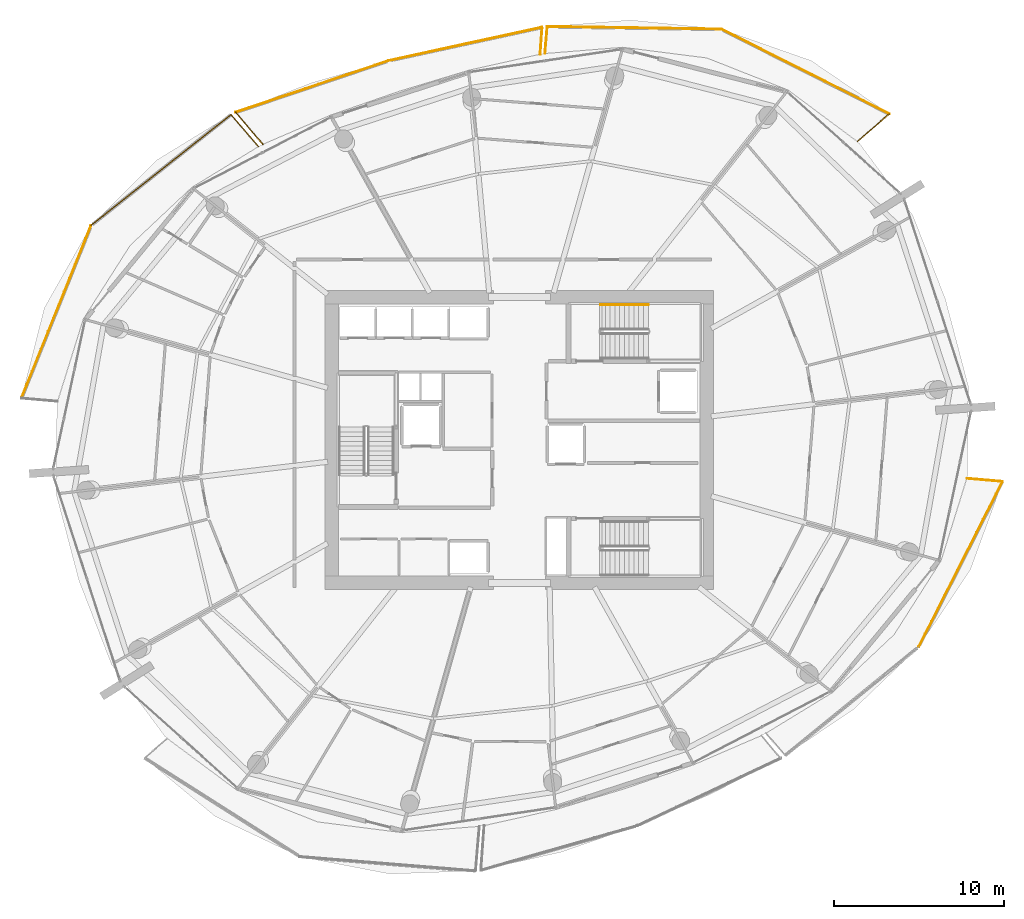
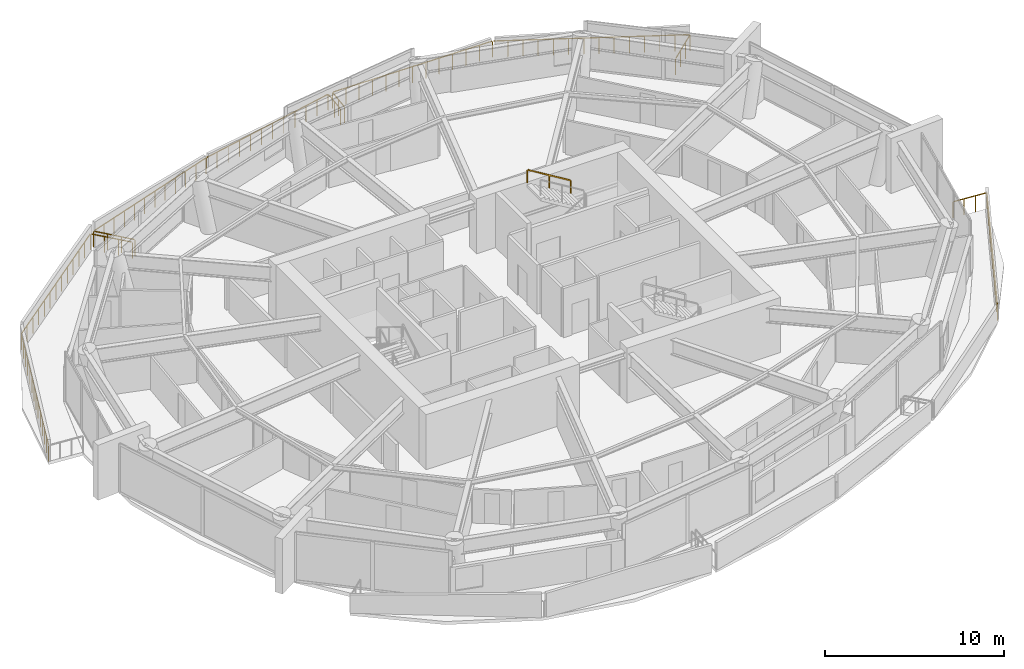
# One storey, part 19 of 19: 14 railings.
"""IFC4 building model written with IfcOpenShell, lengths in metres."""

from ifc_helpers import new_model, si_unit, direction, frame, origin, origin_2d, place, context, subcontext, project, spatial, rectangle, extrude, material, type_object, element, save


model = new_model("IFC4")

# Units and contexts
model_context = context("Model", 3, precision=1e-05, world=origin(), true_north=direction((0.0, 1.0)))
body_context = subcontext(model_context, "Body", "Model", "MODEL_VIEW")
ifc_project = project(units=[si_unit("LENGTHUNIT", "METRE"), si_unit("AREAUNIT", "SQUARE_METRE"), si_unit("VOLUMEUNIT", "CUBIC_METRE"), si_unit("PLANEANGLEUNIT", "RADIAN"), si_unit("MASSUNIT", "GRAM", prefix="KILO")], contexts=[model_context])

# Site, building, storey
site_placement = place(None, origin())
site = spatial("IfcSite", under=ifc_project, at=site_placement, CompositionType="ELEMENT")
building_placement = place(site_placement, origin())
building = spatial("IfcBuilding", under=site, at=building_placement, Name="Kazma Halo Residences", CompositionType="ELEMENT")
storey_placement = place(building_placement, frame((0.0, 0.0, 172.800048828125)))
storey = spatial("IfcBuildingStorey", under=building, at=storey_placement, Name="L43", CompositionType="ELEMENT", Elevation=172.800048828125)

# Railings
ifc_material_1 = material(Name="Aluminium AW-6063 T6 Brushed Cap Rail", Category="aluminium")
railing_type_1 = type_object("IfcRailingType", Name="RLG-BAL-CAP-1120", PredefinedType="BALUSTRADE", material=ifc_material_1)
railing_1_placement = place(storey_placement, frame((68.294677734375, 59.548583984375, 0.0)))
element("IfcRailing", 1, at=railing_1_placement, inside=storey, type_object=railing_type_1, Name="L43 NE wave balcony guard 1", PredefinedType="BALUSTRADE", context=body_context, shape_type="SweptSolid", body=[
    extrude(rectangle(XDim=0.050048828125, YDim=0.050048828125, at=origin_2d()), frame((0.0322265625, 0.02783203125, 1.09521484375), z_axis=(0.756413211958, 0.65409407028, 0.0), x_axis=(-0.65409407028, 0.756413211958, 0.0)), (0.0, 0.0, 1.0), 2.39404296875),
    extrude(rectangle(XDim=0.0400390625, YDim=0.0400390625, at=origin_2d()), origin(), (0.0, 0.0, 1.0), 1.05810546875),
    extrude(rectangle(XDim=0.0400390625, YDim=0.0400390625, at=origin_2d()), frame((0.625, 0.54052734375, 0.0)), (0.0, 0.0, 1.0), 1.05810546875),
    extrude(rectangle(XDim=0.0400390625, YDim=0.0400390625, at=origin_2d()), frame((1.250244140625, 1.0810546875, 0.0)), (0.0, 0.0, 1.0), 1.05810546875),
    extrude(rectangle(XDim=0.0400390625, YDim=0.0400390625, at=origin_2d()), frame((1.875244140625, 1.62158203125, 0.0)), (0.0, 0.0, 1.0), 1.05810546875),
])
railing_2_placement = place(storey_placement, frame((70.169921875, 61.170166015625, 0.0)))
element("IfcRailing", 2, at=railing_2_placement, inside=storey, type_object=railing_type_1, Name="L43 NE wave balcony guard 2", PredefinedType="BALUSTRADE", context=body_context, shape_type="SweptSolid", body=[
    extrude(rectangle(XDim=0.050048828125, YDim=0.050048828125, at=origin_2d()), frame((-0.0380859375, 0.019287109375, 1.09521484375), z_axis=(-0.892732917122, 0.450586216707, 0.0), x_axis=(-0.450586216707, -0.892732917122, 0.0)), (0.0, 0.0, 1.0), 10.965576171875),
    extrude(rectangle(XDim=0.0400390625, YDim=0.0400390625, at=origin_2d()), origin(), (0.0, 0.0, 1.0), 1.05810546875),
    extrude(rectangle(XDim=0.0400390625, YDim=0.0400390625, at=origin_2d()), frame((-0.7587890625, 0.383056640625, 0.0)), (0.0, 0.0, 1.0), 1.05810546875),
    extrude(rectangle(XDim=0.0400390625, YDim=0.0400390625, at=origin_2d()), frame((-1.517822265625, 0.76611328125, 0.0)), (0.0, 0.0, 1.0), 1.05810546875),
    extrude(rectangle(XDim=0.0400390625, YDim=0.0400390625, at=origin_2d()), frame((-2.276611328125, 1.149169921875, 0.0)), (0.0, 0.0, 1.0), 1.05810546875),
    extrude(rectangle(XDim=0.0400390625, YDim=0.0400390625, at=origin_2d()), frame((-3.035400390625, 1.531982421875, 0.0)), (0.0, 0.0, 1.0), 1.05810546875),
    extrude(rectangle(XDim=0.0400390625, YDim=0.0400390625, at=origin_2d()), frame((-3.79443359375, 1.9150390625, 0.0)), (0.0, 0.0, 1.0), 1.05810546875),
    extrude(rectangle(XDim=0.0400390625, YDim=0.0400390625, at=origin_2d()), frame((-4.55322265625, 2.298095703125, 0.0)), (0.0, 0.0, 1.0), 1.05810546875),
    extrude(rectangle(XDim=0.0400390625, YDim=0.0400390625, at=origin_2d()), frame((-5.31201171875, 2.68115234375, 0.0)), (0.0, 0.0, 1.0), 1.05810546875),
    extrude(rectangle(XDim=0.0400390625, YDim=0.0400390625, at=origin_2d()), frame((-6.07080078125, 3.064208984375, 0.0)), (0.0, 0.0, 1.0), 1.05810546875),
    extrude(rectangle(XDim=0.0400390625, YDim=0.0400390625, at=origin_2d()), frame((-6.829833984375, 3.447265625, 0.0)), (0.0, 0.0, 1.0), 1.05810546875),
    extrude(rectangle(XDim=0.0400390625, YDim=0.0400390625, at=origin_2d()), frame((-7.588623046875, 3.830078125, 0.0)), (0.0, 0.0, 1.0), 1.05810546875),
    extrude(rectangle(XDim=0.0400390625, YDim=0.0400390625, at=origin_2d()), frame((-8.347412109375, 4.213134765625, 0.0)), (0.0, 0.0, 1.0), 1.05810546875),
    extrude(rectangle(XDim=0.0400390625, YDim=0.0400390625, at=origin_2d()), frame((-9.1064453125, 4.59619140625, 0.0)), (0.0, 0.0, 1.0), 1.05810546875),
    extrude(rectangle(XDim=0.0400390625, YDim=0.0400390625, at=origin_2d()), frame((-9.865234375, 4.979248046875, 0.0)), (0.0, 0.0, 1.0), 1.05810546875),
])
railing_3_placement = place(storey_placement, frame((60.3046875, 66.1494140625, 0.0)))
element("IfcRailing", 3, at=railing_3_placement, inside=storey, type_object=railing_type_1, Name="L43 NE wave balcony guard 3", PredefinedType="BALUSTRADE", context=body_context, shape_type="SweptSolid", body=[
    extrude(rectangle(XDim=0.050048828125, YDim=0.050048828125, at=origin_2d()), frame((-0.04248046875, 0.000732421875, 1.09521484375), z_axis=(-0.999886550077, 0.015062767851, 0.0), x_axis=(-0.015062767851, -0.999886550077, 0.0)), (0.0, 0.0, 1.0), 10.158447265625),
    extrude(rectangle(XDim=0.0400390625, YDim=0.0400390625, at=origin_2d()), origin(), (0.0, 0.0, 1.0), 1.05810546875),
    extrude(rectangle(XDim=0.0400390625, YDim=0.0400390625, at=origin_2d()), frame((-0.853515625, 0.012939453125, 0.0)), (0.0, 0.0, 1.0), 1.05810546875),
    extrude(rectangle(XDim=0.0400390625, YDim=0.0400390625, at=origin_2d()), frame((-1.70703125, 0.025634765625, 0.0)), (0.0, 0.0, 1.0), 1.05810546875),
    extrude(rectangle(XDim=0.0400390625, YDim=0.0400390625, at=origin_2d()), frame((-2.560546875, 0.03857421875, 0.0)), (0.0, 0.0, 1.0), 1.05810546875),
    extrude(rectangle(XDim=0.0400390625, YDim=0.0400390625, at=origin_2d()), frame((-3.4140625, 0.051513671875, 0.0)), (0.0, 0.0, 1.0), 1.05810546875),
    extrude(rectangle(XDim=0.0400390625, YDim=0.0400390625, at=origin_2d()), frame((-4.267578125, 0.064208984375, 0.0)), (0.0, 0.0, 1.0), 1.05810546875),
    extrude(rectangle(XDim=0.0400390625, YDim=0.0400390625, at=origin_2d()), frame((-5.12109375, 0.0771484375, 0.0)), (0.0, 0.0, 1.0), 1.05810546875),
    extrude(rectangle(XDim=0.0400390625, YDim=0.0400390625, at=origin_2d()), frame((-5.974853515625, 0.090087890625, 0.0)), (0.0, 0.0, 1.0), 1.05810546875),
    extrude(rectangle(XDim=0.0400390625, YDim=0.0400390625, at=origin_2d()), frame((-6.828369140625, 0.102783203125, 0.0)), (0.0, 0.0, 1.0), 1.05810546875),
    extrude(rectangle(XDim=0.0400390625, YDim=0.0400390625, at=origin_2d()), frame((-7.681884765625, 0.11572265625, 0.0)), (0.0, 0.0, 1.0), 1.05810546875),
    extrude(rectangle(XDim=0.0400390625, YDim=0.0400390625, at=origin_2d()), frame((-8.535400390625, 0.128662109375, 0.0)), (0.0, 0.0, 1.0), 1.05810546875),
    extrude(rectangle(XDim=0.0400390625, YDim=0.0400390625, at=origin_2d()), frame((-9.388916015625, 0.141357421875, 0.0)), (0.0, 0.0, 1.0), 1.05810546875),
    extrude(rectangle(XDim=0.0400390625, YDim=0.0400390625, at=origin_2d()), frame((-10.242431640625, 0.154296875, 0.0)), (0.0, 0.0, 1.0), 1.05810546875),
])
railing_4_placement = place(storey_placement, frame((50.062255859375, 66.3037109375, 0.0)))
element("IfcRailing", 4, at=railing_4_placement, inside=storey, type_object=railing_type_1, Name="L43 NE wave balcony guard 4", PredefinedType="BALUSTRADE", context=body_context, shape_type="SweptSolid", body=[
    extrude(rectangle(XDim=0.050048828125, YDim=0.050048828125, at=origin_2d()), frame((-0.003662109375, -0.04248046875, 1.09521484375), z_axis=(-0.084507718361, -0.996422824677, 0.0), x_axis=(0.996422824677, -0.084507718361, 0.0)), (0.0, 0.0, 1.0), 1.50390625),
    extrude(rectangle(XDim=0.0400390625, YDim=0.0400390625, at=origin_2d()), origin(), (0.0, 0.0, 1.0), 1.05810546875),
    extrude(rectangle(XDim=0.0400390625, YDim=0.0400390625, at=origin_2d()), frame((-0.067138671875, -0.79150390625, 0.0)), (0.0, 0.0, 1.0), 1.05810546875),
    extrude(rectangle(XDim=0.0400390625, YDim=0.0400390625, at=origin_2d()), frame((-0.13427734375, -1.583251953125, 0.0)), (0.0, 0.0, 1.0), 1.05810546875),
])
railing_5_placement = place(storey_placement, frame((49.6455078125, 64.67822265625, 0.0)))
element("IfcRailing", 5, at=railing_5_placement, inside=storey, type_object=railing_type_1, Name="L43 NNW wave balcony guard 1", PredefinedType="BALUSTRADE", context=body_context, shape_type="SweptSolid", body=[
    extrude(rectangle(XDim=0.050048828125, YDim=0.050048828125, at=origin_2d()), frame((0.003173828125, 0.04248046875, 1.09521484375), z_axis=(0.072418651554, 0.997374322362, 0.0), x_axis=(-0.997374322362, 0.072418651554, 0.0)), (0.0, 0.0, 1.0), 1.49951171875),
    extrude(rectangle(XDim=0.0400390625, YDim=0.0400390625, at=origin_2d()), origin(), (0.0, 0.0, 1.0), 1.05810546875),
    extrude(rectangle(XDim=0.0400390625, YDim=0.0400390625, at=origin_2d()), frame((0.057373046875, 0.7900390625, 0.0)), (0.0, 0.0, 1.0), 1.05810546875),
    extrude(rectangle(XDim=0.0400390625, YDim=0.0400390625, at=origin_2d()), frame((0.11474609375, 1.580322265625, 0.0)), (0.0, 0.0, 1.0), 1.05810546875),
])
railing_6_placement = place(storey_placement, frame((49.76025390625, 66.258544921875, 0.0)))
element("IfcRailing", 6, at=railing_6_placement, inside=storey, type_object=railing_type_1, Name="L43 NNW wave balcony guard 2", PredefinedType="BALUSTRADE", context=body_context, shape_type="SweptSolid", body=[
    extrude(rectangle(XDim=0.050048828125, YDim=0.050048828125, at=origin_2d()), frame((-0.04150390625, -0.009033203125, 1.09521484375), z_axis=(-0.977179471734, -0.212415347895, 0.0), x_axis=(0.212415347895, -0.977179471734, 0.0)), (0.0, 0.0, 1.0), 9.131591796875),
    extrude(rectangle(XDim=0.0400390625, YDim=0.0400390625, at=origin_2d()), origin(), (0.0, 0.0, 1.0), 1.05810546875),
    extrude(rectangle(XDim=0.0400390625, YDim=0.0400390625, at=origin_2d()), frame((-0.81884765625, -0.177978515625, 0.0)), (0.0, 0.0, 1.0), 1.05810546875),
    extrude(rectangle(XDim=0.0400390625, YDim=0.0400390625, at=origin_2d()), frame((-1.637451171875, -0.35595703125, 0.0)), (0.0, 0.0, 1.0), 1.05810546875),
    extrude(rectangle(XDim=0.0400390625, YDim=0.0400390625, at=origin_2d()), frame((-2.456298828125, -0.533935546875, 0.0)), (0.0, 0.0, 1.0), 1.05810546875),
    extrude(rectangle(XDim=0.0400390625, YDim=0.0400390625, at=origin_2d()), frame((-3.275146484375, -0.7119140625, 0.0)), (0.0, 0.0, 1.0), 1.05810546875),
    extrude(rectangle(XDim=0.0400390625, YDim=0.0400390625, at=origin_2d()), frame((-4.09375, -0.889892578125, 0.0)), (0.0, 0.0, 1.0), 1.05810546875),
    extrude(rectangle(XDim=0.0400390625, YDim=0.0400390625, at=origin_2d()), frame((-4.91259765625, -1.06787109375, 0.0)), (0.0, 0.0, 1.0), 1.05810546875),
    extrude(rectangle(XDim=0.0400390625, YDim=0.0400390625, at=origin_2d()), frame((-5.731201171875, -1.245849609375, 0.0)), (0.0, 0.0, 1.0), 1.05810546875),
    extrude(rectangle(XDim=0.0400390625, YDim=0.0400390625, at=origin_2d()), frame((-6.550048828125, -1.423828125, 0.0)), (0.0, 0.0, 1.0), 1.05810546875),
    extrude(rectangle(XDim=0.0400390625, YDim=0.0400390625, at=origin_2d()), frame((-7.368896484375, -1.601806640625, 0.0)), (0.0, 0.0, 1.0), 1.05810546875),
    extrude(rectangle(XDim=0.0400390625, YDim=0.0400390625, at=origin_2d()), frame((-8.1875, -1.77978515625, 0.0)), (0.0, 0.0, 1.0), 1.05810546875),
    extrude(rectangle(XDim=0.0400390625, YDim=0.0400390625, at=origin_2d()), frame((-9.00634765625, -1.957763671875, 0.0)), (0.0, 0.0, 1.0), 1.05810546875),
])
railing_7_placement = place(storey_placement, frame((40.75390625, 64.30078125, 0.0)))
element("IfcRailing", 7, at=railing_7_placement, inside=storey, type_object=railing_type_1, Name="L43 NNW wave balcony guard 3", PredefinedType="BALUSTRADE", context=body_context, shape_type="SweptSolid", body=[
    extrude(rectangle(XDim=0.050048828125, YDim=0.050048828125, at=origin_2d()), frame((-0.040283203125, -0.013671875, 1.09521484375), z_axis=(-0.947577968419, -0.319524637183, 0.0), x_axis=(0.319524637183, -0.947577968419, 0.0)), (0.0, 0.0, 1.0), 9.417724609375),
    extrude(rectangle(XDim=0.0400390625, YDim=0.0400390625, at=origin_2d()), origin(), (0.0, 0.0, 1.0), 1.05810546875),
    extrude(rectangle(XDim=0.0400390625, YDim=0.0400390625, at=origin_2d()), frame((-0.818603515625, -0.276123046875, 0.0)), (0.0, 0.0, 1.0), 1.05810546875),
    extrude(rectangle(XDim=0.0400390625, YDim=0.0400390625, at=origin_2d()), frame((-1.63720703125, -0.552001953125, 0.0)), (0.0, 0.0, 1.0), 1.05810546875),
    extrude(rectangle(XDim=0.0400390625, YDim=0.0400390625, at=origin_2d()), frame((-2.455810546875, -0.828125, 0.0)), (0.0, 0.0, 1.0), 1.05810546875),
    extrude(rectangle(XDim=0.0400390625, YDim=0.0400390625, at=origin_2d()), frame((-3.2744140625, -1.104248046875, 0.0)), (0.0, 0.0, 1.0), 1.05810546875),
    extrude(rectangle(XDim=0.0400390625, YDim=0.0400390625, at=origin_2d()), frame((-4.093017578125, -1.380126953125, 0.0)), (0.0, 0.0, 1.0), 1.05810546875),
    extrude(rectangle(XDim=0.0400390625, YDim=0.0400390625, at=origin_2d()), frame((-4.91162109375, -1.65625, 0.0)), (0.0, 0.0, 1.0), 1.05810546875),
    extrude(rectangle(XDim=0.0400390625, YDim=0.0400390625, at=origin_2d()), frame((-5.730224609375, -1.93212890625, 0.0)), (0.0, 0.0, 1.0), 1.05810546875),
    extrude(rectangle(XDim=0.0400390625, YDim=0.0400390625, at=origin_2d()), frame((-6.548828125, -2.208251953125, 0.0)), (0.0, 0.0, 1.0), 1.05810546875),
    extrude(rectangle(XDim=0.0400390625, YDim=0.0400390625, at=origin_2d()), frame((-7.367431640625, -2.484375, 0.0)), (0.0, 0.0, 1.0), 1.05810546875),
    extrude(rectangle(XDim=0.0400390625, YDim=0.0400390625, at=origin_2d()), frame((-8.18603515625, -2.76025390625, 0.0)), (0.0, 0.0, 1.0), 1.05810546875),
    extrude(rectangle(XDim=0.0400390625, YDim=0.0400390625, at=origin_2d()), frame((-9.004638671875, -3.036376953125, 0.0)), (0.0, 0.0, 1.0), 1.05810546875),
])
railing_8_placement = place(storey_placement, frame((31.749267578125, 61.264404296875, 0.0)))
element("IfcRailing", 8, at=railing_8_placement, inside=storey, type_object=railing_type_1, Name="L43 NNW wave balcony guard 4", PredefinedType="BALUSTRADE", context=body_context, shape_type="SweptSolid", body=[
    extrude(rectangle(XDim=0.050048828125, YDim=0.050048828125, at=origin_2d()), frame((0.02734375, -0.032470703125, 1.09521484375), z_axis=(0.644760664692, -0.764384514015, 0.0), x_axis=(0.764384514015, 0.644760664692, 0.0)), (0.0, 0.0, 1.0), 2.38037109375),
    extrude(rectangle(XDim=0.0400390625, YDim=0.0400390625, at=origin_2d()), origin(), (0.0, 0.0, 1.0), 1.05810546875),
    extrude(rectangle(XDim=0.0400390625, YDim=0.0400390625, at=origin_2d()), frame((0.52978515625, -0.628173828125, 0.0)), (0.0, 0.0, 1.0), 1.05810546875),
    extrude(rectangle(XDim=0.0400390625, YDim=0.0400390625, at=origin_2d()), frame((1.059814453125, -1.25634765625, 0.0)), (0.0, 0.0, 1.0), 1.05810546875),
    extrude(rectangle(XDim=0.0400390625, YDim=0.0400390625, at=origin_2d()), frame((1.589599609375, -1.884521484375, 0.0)), (0.0, 0.0, 1.0), 1.05810546875),
])
railing_9_placement = place(storey_placement, frame((33.08544921875, 59.248046875, 0.0)))
element("IfcRailing", 9, at=railing_9_placement, inside=storey, type_object=railing_type_1, Name="L43 NW wave balcony guard 1", PredefinedType="BALUSTRADE", context=body_context, shape_type="SweptSolid", body=[
    extrude(rectangle(XDim=0.050048828125, YDim=0.050048828125, at=origin_2d()), frame((-0.02783203125, 0.0322265625, 1.09521484375), z_axis=(-0.65402422684, 0.756473602121, 0.0), x_axis=(-0.756473602121, -0.65402422684, 0.0)), (0.0, 0.0, 1.0), 2.39794921875),
    extrude(rectangle(XDim=0.0400390625, YDim=0.0400390625, at=origin_2d()), origin(), (0.0, 0.0, 1.0), 1.05810546875),
    extrude(rectangle(XDim=0.0400390625, YDim=0.0400390625, at=origin_2d()), frame((-0.541259765625, 0.626220703125, 0.0)), (0.0, 0.0, 1.0), 1.05810546875),
    extrude(rectangle(XDim=0.0400390625, YDim=0.0400390625, at=origin_2d()), frame((-1.082763671875, 1.252197265625, 0.0)), (0.0, 0.0, 1.0), 1.05810546875),
    extrude(rectangle(XDim=0.0400390625, YDim=0.0400390625, at=origin_2d()), frame((-1.6240234375, 1.87841796875, 0.0)), (0.0, 0.0, 1.0), 1.05810546875),
])
railing_10_placement = place(storey_placement, frame((31.46142578125, 61.12646484375, 0.0)))
element("IfcRailing", 10, at=railing_10_placement, inside=storey, type_object=railing_type_1, Name="L43 NW wave balcony guard 2", PredefinedType="BALUSTRADE", context=body_context, shape_type="SweptSolid", body=[
    extrude(rectangle(XDim=0.050048828125, YDim=0.050048828125, at=origin_2d()), frame((-0.033447265625, -0.0263671875, 1.09521484375), z_axis=(-0.783646207233, -0.621207390401, 0.0), x_axis=(0.621207390401, -0.783646207233, 0.0)), (0.0, 0.0, 1.0), 10.399658203125),
    extrude(rectangle(XDim=0.0400390625, YDim=0.0400390625, at=origin_2d()), origin(), (0.0, 0.0, 1.0), 1.05810546875),
    extrude(rectangle(XDim=0.0400390625, YDim=0.0400390625, at=origin_2d()), frame((-0.6845703125, -0.542724609375, 0.0)), (0.0, 0.0, 1.0), 1.05810546875),
    extrude(rectangle(XDim=0.0400390625, YDim=0.0400390625, at=origin_2d()), frame((-1.369384765625, -1.08544921875, 0.0)), (0.0, 0.0, 1.0), 1.05810546875),
    extrude(rectangle(XDim=0.0400390625, YDim=0.0400390625, at=origin_2d()), frame((-2.05419921875, -1.62841796875, 0.0)), (0.0, 0.0, 1.0), 1.05810546875),
    extrude(rectangle(XDim=0.0400390625, YDim=0.0400390625, at=origin_2d()), frame((-2.73876953125, -2.171142578125, 0.0)), (0.0, 0.0, 1.0), 1.05810546875),
    extrude(rectangle(XDim=0.0400390625, YDim=0.0400390625, at=origin_2d()), frame((-3.42333984375, -2.7138671875, 0.0)), (0.0, 0.0, 1.0), 1.05810546875),
    extrude(rectangle(XDim=0.0400390625, YDim=0.0400390625, at=origin_2d()), frame((-4.108154296875, -3.256591796875, 0.0)), (0.0, 0.0, 1.0), 1.05810546875),
    extrude(rectangle(XDim=0.0400390625, YDim=0.0400390625, at=origin_2d()), frame((-4.79296875, -3.79931640625, 0.0)), (0.0, 0.0, 1.0), 1.05810546875),
    extrude(rectangle(XDim=0.0400390625, YDim=0.0400390625, at=origin_2d()), frame((-5.4775390625, -4.342041015625, 0.0)), (0.0, 0.0, 1.0), 1.05810546875),
    extrude(rectangle(XDim=0.0400390625, YDim=0.0400390625, at=origin_2d()), frame((-6.162109375, -4.884765625, 0.0)), (0.0, 0.0, 1.0), 1.05810546875),
    extrude(rectangle(XDim=0.0400390625, YDim=0.0400390625, at=origin_2d()), frame((-6.846923828125, -5.427734375, 0.0)), (0.0, 0.0, 1.0), 1.05810546875),
    extrude(rectangle(XDim=0.0400390625, YDim=0.0400390625, at=origin_2d()), frame((-7.53173828125, -5.970458984375, 0.0)), (0.0, 0.0, 1.0), 1.05810546875),
    extrude(rectangle(XDim=0.0400390625, YDim=0.0400390625, at=origin_2d()), frame((-8.21630859375, -6.51318359375, 0.0)), (0.0, 0.0, 1.0), 1.05810546875),
])
railing_11_placement = place(storey_placement, frame((23.2451171875, 54.61328125, 0.0)))
element("IfcRailing", 11, at=railing_11_placement, inside=storey, type_object=railing_type_1, Name="L43 NW wave balcony guard 3", PredefinedType="BALUSTRADE", context=body_context, shape_type="SweptSolid", body=[
    extrude(rectangle(XDim=0.050048828125, YDim=0.050048828125, at=origin_2d()), frame((-0.015869140625, -0.03955078125, 1.09521484375), z_axis=(-0.373954738113, -0.927446954733, 0.0), x_axis=(0.927446954733, -0.373954738113, 0.0)), (0.0, 0.0, 1.0), 10.875244140625),
    extrude(rectangle(XDim=0.0400390625, YDim=0.0400390625, at=origin_2d()), origin(), (0.0, 0.0, 1.0), 1.05810546875),
    extrude(rectangle(XDim=0.0400390625, YDim=0.0400390625, at=origin_2d()), frame((-0.315185546875, -0.781982421875, 0.0)), (0.0, 0.0, 1.0), 1.05810546875),
    extrude(rectangle(XDim=0.0400390625, YDim=0.0400390625, at=origin_2d()), frame((-0.630615234375, -1.56396484375, 0.0)), (0.0, 0.0, 1.0), 1.05810546875),
    extrude(rectangle(XDim=0.0400390625, YDim=0.0400390625, at=origin_2d()), frame((-0.94580078125, -2.345703125, 0.0)), (0.0, 0.0, 1.0), 1.05810546875),
    extrude(rectangle(XDim=0.0400390625, YDim=0.0400390625, at=origin_2d()), frame((-1.26123046875, -3.127685546875, 0.0)), (0.0, 0.0, 1.0), 1.05810546875),
    extrude(rectangle(XDim=0.0400390625, YDim=0.0400390625, at=origin_2d()), frame((-1.576416015625, -3.90966796875, 0.0)), (0.0, 0.0, 1.0), 1.05810546875),
    extrude(rectangle(XDim=0.0400390625, YDim=0.0400390625, at=origin_2d()), frame((-1.8916015625, -4.691650390625, 0.0)), (0.0, 0.0, 1.0), 1.05810546875),
    extrude(rectangle(XDim=0.0400390625, YDim=0.0400390625, at=origin_2d()), frame((-2.20703125, -5.473388671875, 0.0)), (0.0, 0.0, 1.0), 1.05810546875),
    extrude(rectangle(XDim=0.0400390625, YDim=0.0400390625, at=origin_2d()), frame((-2.522216796875, -6.25537109375, 0.0)), (0.0, 0.0, 1.0), 1.05810546875),
    extrude(rectangle(XDim=0.0400390625, YDim=0.0400390625, at=origin_2d()), frame((-2.83740234375, -7.037353515625, 0.0)), (0.0, 0.0, 1.0), 1.05810546875),
    extrude(rectangle(XDim=0.0400390625, YDim=0.0400390625, at=origin_2d()), frame((-3.15283203125, -7.8193359375, 0.0)), (0.0, 0.0, 1.0), 1.05810546875),
    extrude(rectangle(XDim=0.0400390625, YDim=0.0400390625, at=origin_2d()), frame((-3.468017578125, -8.60107421875, 0.0)), (0.0, 0.0, 1.0), 1.05810546875),
    extrude(rectangle(XDim=0.0400390625, YDim=0.0400390625, at=origin_2d()), frame((-3.783447265625, -9.383056640625, 0.0)), (0.0, 0.0, 1.0), 1.05810546875),
    extrude(rectangle(XDim=0.0400390625, YDim=0.0400390625, at=origin_2d()), frame((-4.0986328125, -10.1650390625, 0.0)), (0.0, 0.0, 1.0), 1.05810546875),
])
railing_12_placement = place(storey_placement, frame((71.898681640625, 29.822998046875, 0.0)))
element("IfcRailing", 12, at=railing_12_placement, inside=storey, type_object=railing_type_1, Name="L43 SE wave balcony guard 3", PredefinedType="BALUSTRADE", context=body_context, shape_type="SweptSolid", body=[
    extrude(rectangle(XDim=0.050048828125, YDim=0.050048828125, at=origin_2d()), frame((0.019287109375, 0.037841796875, 1.09521484375), z_axis=(0.452406315064, 0.891811934261, 0.0), x_axis=(-0.891811934261, 0.452406315064, 0.0)), (0.0, 0.0, 1.0), 10.825439453125),
    extrude(rectangle(XDim=0.0400390625, YDim=0.0400390625, at=origin_2d()), origin(), (0.0, 0.0, 1.0), 1.05810546875),
    extrude(rectangle(XDim=0.0400390625, YDim=0.0400390625, at=origin_2d()), frame((0.379638671875, 0.74853515625, 0.0)), (0.0, 0.0, 1.0), 1.05810546875),
    extrude(rectangle(XDim=0.0400390625, YDim=0.0400390625, at=origin_2d()), frame((0.75927734375, 1.4970703125, 0.0)), (0.0, 0.0, 1.0), 1.05810546875),
    extrude(rectangle(XDim=0.0400390625, YDim=0.0400390625, at=origin_2d()), frame((1.13916015625, 2.245361328125, 0.0)), (0.0, 0.0, 1.0), 1.05810546875),
    extrude(rectangle(XDim=0.0400390625, YDim=0.0400390625, at=origin_2d()), frame((1.518798828125, 2.993896484375, 0.0)), (0.0, 0.0, 1.0), 1.05810546875),
    extrude(rectangle(XDim=0.0400390625, YDim=0.0400390625, at=origin_2d()), frame((1.8984375, 3.742431640625, 0.0)), (0.0, 0.0, 1.0), 1.05810546875),
    extrude(rectangle(XDim=0.0400390625, YDim=0.0400390625, at=origin_2d()), frame((2.278076171875, 4.490966796875, 0.0)), (0.0, 0.0, 1.0), 1.05810546875),
    extrude(rectangle(XDim=0.0400390625, YDim=0.0400390625, at=origin_2d()), frame((2.657958984375, 5.2392578125, 0.0)), (0.0, 0.0, 1.0), 1.05810546875),
    extrude(rectangle(XDim=0.0400390625, YDim=0.0400390625, at=origin_2d()), frame((3.03759765625, 5.98779296875, 0.0)), (0.0, 0.0, 1.0), 1.05810546875),
    extrude(rectangle(XDim=0.0400390625, YDim=0.0400390625, at=origin_2d()), frame((3.417236328125, 6.736328125, 0.0)), (0.0, 0.0, 1.0), 1.05810546875),
    extrude(rectangle(XDim=0.0400390625, YDim=0.0400390625, at=origin_2d()), frame((3.796875, 7.48486328125, 0.0)), (0.0, 0.0, 1.0), 1.05810546875),
    extrude(rectangle(XDim=0.0400390625, YDim=0.0400390625, at=origin_2d()), frame((4.1767578125, 8.233154296875, 0.0)), (0.0, 0.0, 1.0), 1.05810546875),
    extrude(rectangle(XDim=0.0400390625, YDim=0.0400390625, at=origin_2d()), frame((4.556396484375, 8.981689453125, 0.0)), (0.0, 0.0, 1.0), 1.05810546875),
    extrude(rectangle(XDim=0.0400390625, YDim=0.0400390625, at=origin_2d()), frame((4.93603515625, 9.730224609375, 0.0)), (0.0, 0.0, 1.0), 1.05810546875),
])
railing_13_placement = place(storey_placement, frame((76.834716796875, 39.55322265625, 0.0)))
element("IfcRailing", 13, at=railing_13_placement, inside=storey, type_object=railing_type_1, Name="L43 SE wave balcony guard 4", PredefinedType="BALUSTRADE", context=body_context, shape_type="SweptSolid", body=[
    extrude(rectangle(XDim=0.050048828125, YDim=0.050048828125, at=origin_2d()), frame((-0.04248046875, 0.003662109375, 1.09521484375), z_axis=(-0.996412768722, 0.084626203548, 0.0), x_axis=(-0.084626203548, -0.996412768722, 0.0)), (0.0, 0.0, 1.0), 2.023681640625),
    extrude(rectangle(XDim=0.0400390625, YDim=0.0400390625, at=origin_2d()), origin(), (0.0, 0.0, 1.0), 1.05810546875),
    extrude(rectangle(XDim=0.0400390625, YDim=0.0400390625, at=origin_2d()), frame((-0.700439453125, 0.0595703125, 0.0)), (0.0, 0.0, 1.0), 1.05810546875),
    extrude(rectangle(XDim=0.0400390625, YDim=0.0400390625, at=origin_2d()), frame((-1.40087890625, 0.118896484375, 0.0)), (0.0, 0.0, 1.0), 1.05810546875),
    extrude(rectangle(XDim=0.0400390625, YDim=0.0400390625, at=origin_2d()), frame((-2.101318359375, 0.178466796875, 0.0)), (0.0, 0.0, 1.0), 1.05810546875),
])
ifc_material_2 = material(Name="Brushed Stainless Steel", Category="steel")
railing_type_2 = type_object("IfcRailingType", Name="RLG-STAIR-HND-900", PredefinedType="HANDRAIL", material=ifc_material_2)
railing_14_placement = place(storey_placement, frame((56.0, 49.949951171875, 2.04541015625)))
element("IfcRailing", 14, at=railing_14_placement, inside=storey, type_object=railing_type_2, Name="L43 ST-02 stair handrail 2", PredefinedType="HANDRAIL", context=body_context, shape_type="SweptSolid", body=[
    extrude(rectangle(XDim=0.050048828125, YDim=0.050048828125, at=origin_2d()), frame((-0.036376953125, 0.0, 0.89697265625), z_axis=(-0.854169791009, 0.0, 0.51999420009), x_axis=(0.0, -1.0, 0.0)), (0.0, 0.0, 1.0), 3.193115234375),
    extrude(rectangle(XDim=0.0400390625, YDim=0.0400390625, at=origin_2d()), origin(), (0.0, 0.0, 1.0), 0.837890625),
    extrude(rectangle(XDim=0.0400390625, YDim=0.0400390625, at=origin_2d()), frame((-1.39990234375, 0.0, 0.852294921875)), (0.0, 0.0, 1.0), 0.837890625),
    extrude(rectangle(XDim=0.0400390625, YDim=0.0400390625, at=origin_2d()), frame((-2.800048828125, 0.0, 1.70458984375)), (0.0, 0.0, 1.0), 0.837890625),
])

save(model, "model.ifc")
